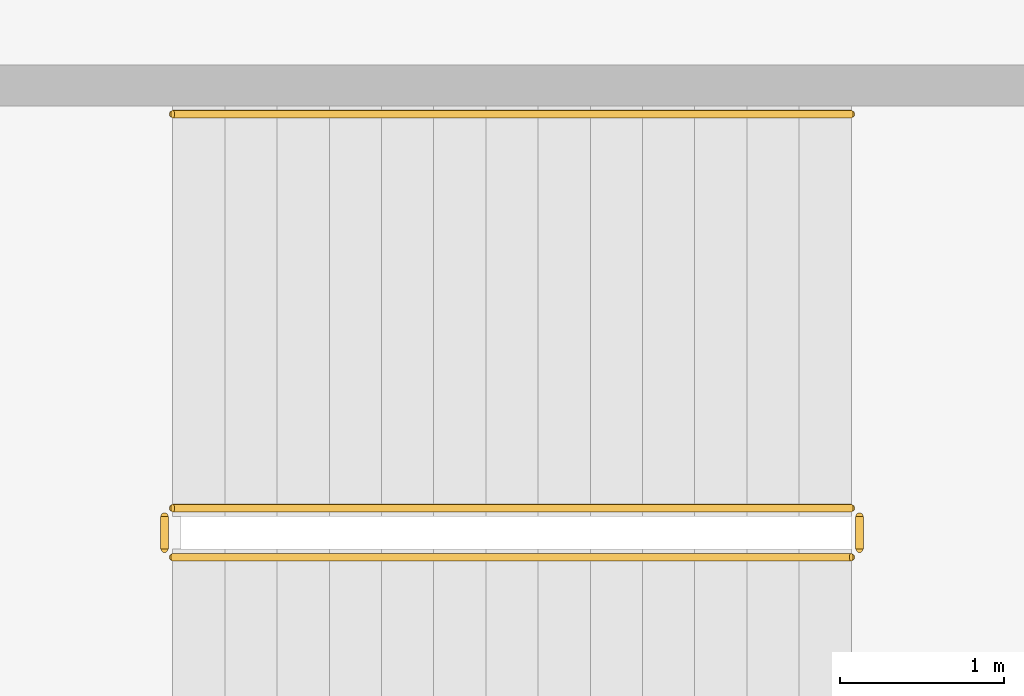
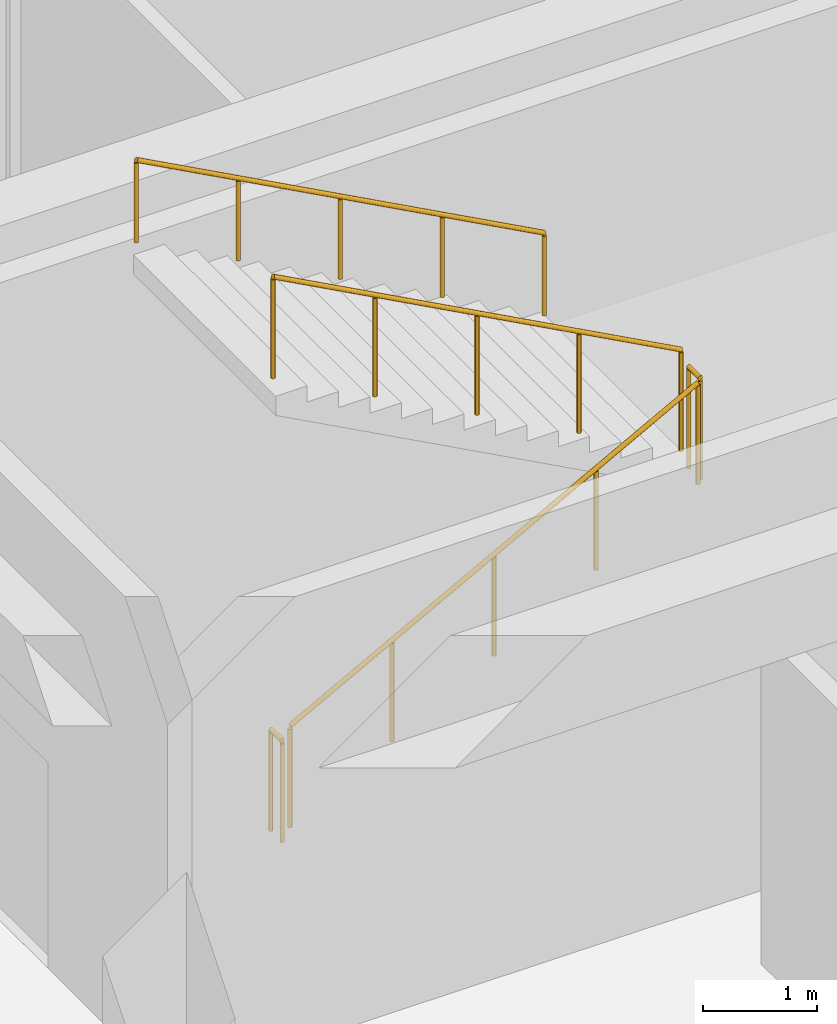
# One storey, part 121 of 122: 5 railings.
"""IFC4 building model written with IfcOpenShell, lengths in metres."""

from ifc_helpers import new_model, si_unit, direction, frame, origin, origin_2d, place, context, subcontext, project, spatial, circle, extrude, material, type_object, element, save


model = new_model("IFC4")

# Units and contexts
model_context = context("Model", 3, precision=1e-05, world=origin(), true_north=direction((0.0, 1.0)))
body_context = subcontext(model_context, "Body", "Model", "MODEL_VIEW")
ifc_project = project(units=[si_unit("LENGTHUNIT", "METRE"), si_unit("AREAUNIT", "SQUARE_METRE"), si_unit("VOLUMEUNIT", "CUBIC_METRE"), si_unit("PLANEANGLEUNIT", "RADIAN"), si_unit("MASSUNIT", "GRAM", prefix="KILO")], contexts=[model_context])

# Site, building, storey
site_placement = place(None, origin())
site = spatial("IfcSite", under=ifc_project, at=site_placement, CompositionType="ELEMENT")
building_placement = place(site_placement, origin())
building = spatial("IfcBuilding", under=site, at=building_placement, Name="Cuetzalor Civic Arena", CompositionType="ELEMENT")
storey_placement = place(building_placement, frame((0.0, 0.0, 16.199951171875)))
storey = spatial("IfcBuildingStorey", under=building, at=storey_placement, Name="L03", CompositionType="ELEMENT", Elevation=16.199951171875)

# Railings
ifc_material_1 = material(Name="Reseda-green architectural Steel S355 balustrade", Category="steel")
railing_type_1 = type_object("IfcRailingType", Name="InteriorVoidBalustrade_1100", PredefinedType="BALUSTRADE", material=ifc_material_1)
railing_1_placement = place(storey_placement, frame((67.449951171875, 20.85009765625, 0.17138671875)))
element("IfcRailing", 1, at=railing_1_placement, inside=storey, type_object=railing_type_1, Name="L03 ST-22 stair guard 1", PredefinedType="BALUSTRADE", context=body_context, shape_type="SweptSolid", body=[
    extrude(circle(Radius=0.02392578125, at=origin_2d()), frame((0.0, 0.0, 1.0810546875), z_axis=(0.880227283719, 0.0, 0.474552345897), x_axis=(0.0, 1.0, 0.0)), (0.0, 0.0, 1.0), 4.696533203125),
    extrude(circle(Radius=0.02099609375, at=origin_2d()), origin(), (0.0, 0.0, 1.0), 1.056884765625),
    extrude(circle(Radius=0.02099609375, at=origin_2d()), frame((1.033447265625, 0.0, 0.55712890625)), (0.0, 0.0, 1.0), 1.056884765625),
    extrude(circle(Radius=0.02099609375, at=origin_2d()), frame((2.06689453125, 0.0, 1.1142578125)), (0.0, 0.0, 1.0), 1.056884765625),
    extrude(circle(Radius=0.02099609375, at=origin_2d()), frame((3.1005859375, 0.0, 1.671630859375)), (0.0, 0.0, 1.0), 1.056884765625),
    extrude(circle(Radius=0.02099609375, at=origin_2d()), frame((4.134033203125, 0.0, 2.228759765625)), (0.0, 0.0, 1.0), 1.056884765625),
])
railing_2_placement = place(storey_placement, frame((71.634033203125, 20.89990234375, 2.400146484375)))
element("IfcRailing", 2, at=railing_2_placement, inside=storey, type_object=railing_type_1, Name="L03 ST-22 stair guard 2", PredefinedType="BALUSTRADE", context=body_context, shape_type="SweptSolid", body=[
    extrude(circle(Radius=0.02392578125, at=origin_2d()), frame((0.0, 0.0, 1.0810546875), z_axis=(0.0, 1.0, 0.0), x_axis=(-1.0, 0.0, 0.0)), (0.0, 0.0, 1.0), 0.2001953125),
    extrude(circle(Radius=0.02099609375, at=origin_2d()), origin(), (0.0, 0.0, 1.0), 1.056884765625),
    extrude(circle(Radius=0.02099609375, at=origin_2d()), frame((0.0, 0.2001953125, 0.0)), (0.0, 0.0, 1.0), 1.056884765625),
])
railing_3_placement = place(storey_placement, frame((71.583984375, 21.14990234375, 2.571533203125)))
element("IfcRailing", 3, at=railing_3_placement, inside=storey, type_object=railing_type_1, Name="L03 ST-22 stair guard 3", PredefinedType="BALUSTRADE", context=body_context, shape_type="SweptSolid", body=[
    extrude(circle(Radius=0.02392578125, at=origin_2d()), frame((0.0, 0.0, 1.0810546875), z_axis=(-0.880248997335, 0.0, 0.474512068014), x_axis=(0.0, -1.0, 0.0)), (0.0, 0.0, 1.0), 4.696533203125),
    extrude(circle(Radius=0.02099609375, at=origin_2d()), origin(), (0.0, 0.0, 1.0), 1.056884765625),
    extrude(circle(Radius=0.02099609375, at=origin_2d()), frame((-1.033447265625, 0.0, 0.55712890625)), (0.0, 0.0, 1.0), 1.056884765625),
    extrude(circle(Radius=0.02099609375, at=origin_2d()), frame((-2.06689453125, 0.0, 1.1142578125)), (0.0, 0.0, 1.0), 1.056884765625),
    extrude(circle(Radius=0.02099609375, at=origin_2d()), frame((-3.1005859375, 0.0, 1.67138671875)), (0.0, 0.0, 1.0), 1.056884765625),
    extrude(circle(Radius=0.02099609375, at=origin_2d()), frame((-4.134033203125, 0.0, 2.228515625)), (0.0, 0.0, 1.0), 1.056884765625),
])
railing_4_placement = place(storey_placement, frame((67.39990234375, 20.89990234375, 0.0)))
element("IfcRailing", 4, at=railing_4_placement, inside=storey, type_object=railing_type_1, Name="L03 ST-22 stair guard 4", PredefinedType="BALUSTRADE", context=body_context, shape_type="SweptSolid", body=[
    extrude(circle(Radius=0.02392578125, at=origin_2d()), frame((0.0, 0.0, 1.0810546875), z_axis=(0.0, 1.0, 0.0), x_axis=(-1.0, 0.0, 0.0)), (0.0, 0.0, 1.0), 0.2001953125),
    extrude(circle(Radius=0.02099609375, at=origin_2d()), origin(), (0.0, 0.0, 1.0), 1.056884765625),
    extrude(circle(Radius=0.02099609375, at=origin_2d()), frame((0.0, 0.2001953125, 0.0)), (0.0, 0.0, 1.0), 1.056884765625),
])
ifc_material_2 = material(Name="Galvanised steel S355", Category="steel")
railing_type_2 = type_object("IfcRailingType", Name="StairPitchHandrail_900", PredefinedType="HANDRAIL", material=ifc_material_2)
railing_5_placement = place(storey_placement, frame((71.583984375, 23.550048828125, 2.571533203125)))
element("IfcRailing", 5, at=railing_5_placement, inside=storey, type_object=railing_type_2, Name="L03 ST-22 stair handrail 2", PredefinedType="HANDRAIL", context=body_context, shape_type="SweptSolid", body=[
    extrude(circle(Radius=0.02392578125, at=origin_2d()), frame((0.0, 0.0, 0.8759765625), z_axis=(-0.880248997335, 0.0, 0.474512068014), x_axis=(0.0, -1.0, 0.0)), (0.0, 0.0, 1.0), 4.696533203125),
    extrude(circle(Radius=0.02099609375, at=origin_2d()), origin(), (0.0, 0.0, 1.0), 0.851806640625),
    extrude(circle(Radius=0.02099609375, at=origin_2d()), frame((-1.033447265625, 0.0, 0.55712890625)), (0.0, 0.0, 1.0), 0.851806640625),
    extrude(circle(Radius=0.02099609375, at=origin_2d()), frame((-2.06689453125, 0.0, 1.1142578125)), (0.0, 0.0, 1.0), 0.851806640625),
    extrude(circle(Radius=0.02099609375, at=origin_2d()), frame((-3.1005859375, 0.0, 1.67138671875)), (0.0, 0.0, 1.0), 0.851806640625),
    extrude(circle(Radius=0.02099609375, at=origin_2d()), frame((-4.134033203125, 0.0, 2.228515625)), (0.0, 0.0, 1.0), 0.851806640625),
])

save(model, "model.ifc")
